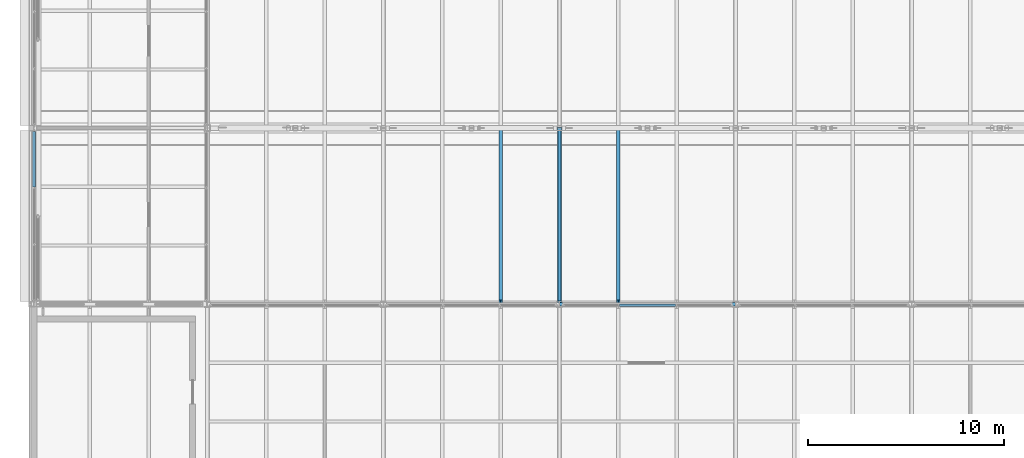
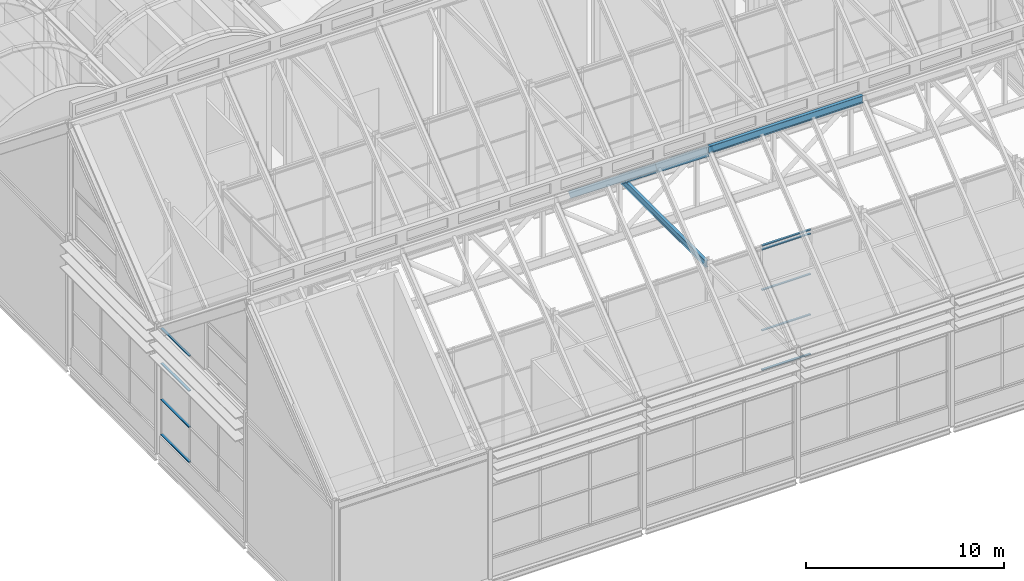
# One storey, part 32 of 144: 12 members, 2 beams, 2 elements without a shape of their own.
"""IFC4 building model written with IfcOpenShell, lengths in metres."""

from ifc_helpers import new_model, si_unit, direction, frame, origin, origin_2d, place, context, subcontext, project, spatial, hollow_rectangle, i_section, extrude, material, layer, layer_set, material_profile, profile_set, type_object, element, aggregate, save


model = new_model("IFC4")

# Units and contexts
model_context = context("Model", 3, precision=1e-05, world=origin(), true_north=direction((0.0, 1.0)))
body_context = subcontext(model_context, "Body", "Model", "MODEL_VIEW")
ifc_project = project(units=[si_unit("LENGTHUNIT", "METRE"), si_unit("AREAUNIT", "SQUARE_METRE"), si_unit("VOLUMEUNIT", "CUBIC_METRE"), si_unit("PLANEANGLEUNIT", "RADIAN"), si_unit("MASSUNIT", "GRAM", prefix="KILO")], contexts=[model_context])

# Site, building, storey
site_placement = place(None, origin())
site = spatial("IfcSite", under=ifc_project, at=site_placement, CompositionType="ELEMENT")
building_placement = place(site_placement, origin())
building = spatial("IfcBuilding", under=site, at=building_placement, Name="Shorebreak Coast Museum", CompositionType="ELEMENT")
storey_placement = place(building_placement, frame((0.0, 0.0, 36.0)))
storey = spatial("IfcBuildingStorey", under=building, at=storey_placement, Name="L06", CompositionType="ELEMENT", Elevation=36.0)

# Members
ifc_material_1 = material(Name="Steel Grade 300", Category="steel")
ifc_material_profile_1 = material_profile(ifc_material_1, i_section(OverallWidth=0.177978515625, OverallDepth=0.402587890625, WebThickness=0.007568359375, FlangeThickness=0.010986328125, FilletRadius=0.011474609375, at=origin_2d()), Name="410UB53.7")
ifc_profile_set_1 = profile_set([ifc_material_profile_1], Name="Steel Grade 300")
member_type_1 = type_object("IfcMemberType", Name="Fold rafter 410UB53.7", PredefinedType="RAFTER", material=ifc_profile_set_1)
for number, where, z_axis, x_axis, name in (
    (1, (78.0, 63.094970703125, 14.610107421875), (0.0, 0.780866693621, -0.624697692322), (-1.0, 0.0, 0.0), "Fold rafter FOLD-X line 2 09"),
    (2, (84.0, 63.094970703125, 14.610107421875), (0.0, 0.780866693621, -0.624697692322), (-1.0, 0.0, 0.0), "Fold rafter FOLD-X line 2 11"),
):
    element("IfcMember", number, at=place(storey_placement, frame(where, z_axis=z_axis, x_axis=x_axis)), inside=storey, type_object=member_type_1, Name=name, PredefinedType="RAFTER", context=body_context, shape_type="SweptSolid", body=[
        extrude(i_section(OverallWidth=0.177978515625, OverallDepth=0.402587890625, WebThickness=0.007568359375, FlangeThickness=0.010986328125, FilletRadius=0.011474609375, at=origin_2d()), origin(), (0.0, 0.0, 1.0), 11.25732421875),
    ])
ifc_material_2 = material(Name="Steel Grade 300", Category="steel")
ifc_material_profile_2 = material_profile(ifc_material_2, i_section(OverallWidth=0.208984375, OverallDepth=0.5283203125, WebThickness=0.009521484375, FlangeThickness=0.01318359375, FilletRadius=0.013916015625, at=origin_2d()), Name="530UB82.0")
ifc_profile_set_2 = profile_set([ifc_material_profile_2], Name="Steel Grade 300")
member_type_2 = type_object("IfcMemberType", Name="Fold rib rafter 530UB82.0", PredefinedType="RAFTER", material=ifc_profile_set_2)
member_1_placement = place(storey_placement, frame((81.0, 63.094970703125, 14.52978515625), z_axis=(0.0, 0.780866693621, -0.624697692322), x_axis=(-1.0, 0.0, 0.0)))
element("IfcMember", 3, at=member_1_placement, inside=storey, type_object=member_type_2, Name="Fold rib rafter FOLD-X line 2 10", PredefinedType="RAFTER", context=body_context, shape_type="SweptSolid", body=[
    extrude(i_section(OverallWidth=0.208984375, OverallDepth=0.5283203125, WebThickness=0.009521484375, FlangeThickness=0.01318359375, FilletRadius=0.013916015625, at=origin_2d()), origin(), (0.0, 0.0, 1.0), 11.25732421875),
])

# Beams
ifc_material_3 = material(Name="Steel Grade 300", Category="steel")
ifc_material_profile_3 = material_profile(ifc_material_3, i_section(OverallWidth=0.177978515625, OverallDepth=0.402587890625, WebThickness=0.007568359375, FlangeThickness=0.010986328125, FilletRadius=0.011474609375, at=origin_2d()), Name="410UB53.7")
ifc_profile_set_3 = profile_set([ifc_material_profile_3], Name="Steel Grade 300")
beam_type_1 = type_object("IfcBeamType", Name="Fold rib tie 410UB53.7", PredefinedType="BEAM", material=ifc_profile_set_3)
beam_1_placement = place(storey_placement, frame((81.0, 63.1572265625, 7.54248046875), z_axis=(0.0, 1.0, 0.0), x_axis=(-1.0, 0.0, 0.0)))
element("IfcBeam", 4, at=beam_1_placement, inside=storey, type_object=beam_type_1, Name="Fold rib tie FOLD-X rib 10 H-J", PredefinedType="BEAM", context=body_context, shape_type="SweptSolid", body=[
    extrude(i_section(OverallWidth=0.177978515625, OverallDepth=0.402587890625, WebThickness=0.007568359375, FlangeThickness=0.010986328125, FilletRadius=0.011474609375, at=origin_2d()), origin(), (0.0, 0.0, 1.0), 8.728271484375),
])
ifc_material_4 = material(Name="Steel Grade 300", Category="steel")
ifc_material_profile_4 = material_profile(ifc_material_4, i_section(OverallWidth=0.18994140625, OverallDepth=0.453857421875, WebThickness=0.008544921875, FlangeThickness=0.0126953125, FilletRadius=0.011474609375, at=origin_2d()), Name="460UB67.1")
ifc_profile_set_4 = profile_set([ifc_material_profile_4], Name="Steel Grade 300")
beam_type_2 = type_object("IfcBeamType", Name="Fold ridge beam 460UB67.1", PredefinedType="BEAM", material=ifc_profile_set_4)
beam_2_placement = place(storey_placement, frame((81.0, 63.0, 14.717041015625), z_axis=(1.0, 0.0, 0.0), x_axis=(0.0, 1.0, 0.0)))
element("IfcBeam", 5, at=beam_2_placement, inside=storey, type_object=beam_type_2, Name="Fold ridge beam FOLD-X line H bay 10H", PredefinedType="BEAM", context=body_context, shape_type="SweptSolid", body=[
    extrude(i_section(OverallWidth=0.18994140625, OverallDepth=0.453857421875, WebThickness=0.008544921875, FlangeThickness=0.0126953125, FilletRadius=0.011474609375, at=origin_2d()), origin(), (0.0, 0.0, 1.0), 9.0),
])

# Curtain wall, members
ifc_material_5 = material(Name="Aluminium", Category="aluminium")
ifc_layer_1 = layer(ifc_material_5, 0.1201171875)
ifc_layer_set_1 = layer_set([ifc_layer_1], Name="Aluminium")
curtain_wall_type_1 = type_object("IfcCurtainWallType", Name="Atrium fire screen", PredefinedType="NOTDEFINED", material=ifc_layer_set_1)
curtain_wall_1_placement = place(storey_placement, origin())
curtain_wall_1 = element("IfcCurtainWall", 6, at=curtain_wall_1_placement, inside=storey, type_object=curtain_wall_type_1, Name="Atrium screen L06 S 81", PredefinedType="NOTDEFINED")
ifc_material_6 = material(Name="Aluminium", Category="aluminium")
ifc_material_profile_5 = material_profile(ifc_material_6, hollow_rectangle(XDim=0.1201171875, YDim=0.06005859375, WallThickness=0.00341796875, at=origin_2d()), Name="AL 60x120 RHS")
ifc_profile_set_5 = profile_set([ifc_material_profile_5], Name="Aluminium")
member_type_3 = type_object("IfcMemberType", Name="Screen transom 120 x 50", PredefinedType="USERDEFINED", material=ifc_profile_set_5)
member_2_placement = place(storey_placement, frame((84.076171875, 62.93994140625, 0.06005859375), z_axis=(1.0, 0.0, 0.0), x_axis=(0.0, 1.0, 0.0)))
member_2 = element("IfcMember", 7, at=member_2_placement, type_object=member_type_3, Name="CW4 transom 2.1", ObjectType="TRANSOM", PredefinedType="USERDEFINED", context=body_context, shape_type="SweptSolid", body=[
    extrude(hollow_rectangle(XDim=0.1201171875, YDim=0.06005859375, WallThickness=0.00341796875, at=origin_2d()), origin(), (0.0, 0.0, 1.0), 2.84765625),
])
member_3_placement = place(storey_placement, frame((84.076171875, 62.93994140625, 2.5), z_axis=(1.0, 0.0, 0.0), x_axis=(0.0, 1.0, 0.0)))
member_3 = element("IfcMember", 8, at=member_3_placement, type_object=member_type_3, Name="CW4 transom 2.2", ObjectType="TRANSOM", PredefinedType="USERDEFINED", context=body_context, shape_type="SweptSolid", body=[
    extrude(hollow_rectangle(XDim=0.1201171875, YDim=0.06005859375, WallThickness=0.00341796875, at=origin_2d()), origin(), (0.0, 0.0, 1.0), 2.84765625),
])
member_4_placement = place(storey_placement, frame((84.076171875, 62.93994140625, 5.0), z_axis=(1.0, 0.0, 0.0), x_axis=(0.0, 1.0, 0.0)))
member_4 = element("IfcMember", 9, at=member_4_placement, type_object=member_type_3, Name="CW4 transom 2.3", ObjectType="TRANSOM", PredefinedType="USERDEFINED", context=body_context, shape_type="SweptSolid", body=[
    extrude(hollow_rectangle(XDim=0.1201171875, YDim=0.06005859375, WallThickness=0.00341796875, at=origin_2d()), origin(), (0.0, 0.0, 1.0), 2.84765625),
])
member_5_placement = place(storey_placement, frame((84.076171875, 62.93994140625, 7.5), z_axis=(1.0, 0.0, 0.0), x_axis=(0.0, 1.0, 0.0)))
member_5 = element("IfcMember", 10, at=member_5_placement, type_object=member_type_3, Name="CW4 transom 2.4", ObjectType="TRANSOM", PredefinedType="USERDEFINED", context=body_context, shape_type="SweptSolid", body=[
    extrude(hollow_rectangle(XDim=0.1201171875, YDim=0.06005859375, WallThickness=0.00341796875, at=origin_2d()), origin(), (0.0, 0.0, 1.0), 2.84765625),
])
member_6_placement = place(storey_placement, frame((84.076171875, 62.93994140625, 7.739990234375), z_axis=(1.0, 0.0, 0.0), x_axis=(0.0, 1.0, 0.0)))
member_6 = element("IfcMember", 11, at=member_6_placement, type_object=member_type_3, Name="CW4 transom 2.5", ObjectType="TRANSOM", PredefinedType="USERDEFINED", context=body_context, shape_type="SweptSolid", body=[
    extrude(hollow_rectangle(XDim=0.1201171875, YDim=0.06005859375, WallThickness=0.00341796875, at=origin_2d()), origin(), (0.0, 0.0, 1.0), 2.84765625),
])
aggregate(curtain_wall_1, [member_2, member_3, member_4, member_5, member_6])

ifc_material_7 = material(Name="Aluminium", Category="aluminium")
ifc_layer_2 = layer(ifc_material_7, 0.14990234375)
ifc_layer_set_2 = layer_set([ifc_layer_2], Name="Aluminium")
curtain_wall_type_2 = type_object("IfcCurtainWallType", Name="Storefront curtain wall", PredefinedType="NOTDEFINED", material=ifc_layer_set_2)
curtain_wall_2_placement = place(storey_placement, origin())
curtain_wall_2 = element("IfcCurtainWall", 12, at=curtain_wall_2_placement, inside=storey, type_object=curtain_wall_type_2, Name="Atrium Hall glazing L06 W 27", PredefinedType="NOTDEFINED")
ifc_material_8 = material(Name="Aluminium", Category="aluminium")
ifc_material_profile_6 = material_profile(ifc_material_8, hollow_rectangle(XDim=0.14990234375, YDim=0.050048828125, WallThickness=0.00390625, at=origin_2d()), Name="AL 50x150 RHS")
ifc_profile_set_6 = profile_set([ifc_material_profile_6], Name="Aluminium")
member_type_4 = type_object("IfcMemberType", Name="Storefront transom 150 x 50", PredefinedType="USERDEFINED", material=ifc_profile_set_6)
member_7_placement = place(storey_placement, frame((54.14990234375, 68.988037109375, 1.175048828125), z_axis=(0.0, 1.0, 0.0), x_axis=(-1.0, 0.0, 0.0)))
member_7 = element("IfcMember", 13, at=member_7_placement, type_object=member_type_4, Name="CW5 transom 3.1", ObjectType="TRANSOM", PredefinedType="USERDEFINED", context=body_context, shape_type="SweptSolid", body=[
    extrude(hollow_rectangle(XDim=0.14990234375, YDim=0.050048828125, WallThickness=0.00390625, at=origin_2d()), origin(), (0.0, 0.0, 1.0), 2.8369140625),
])
member_8_placement = place(storey_placement, frame((54.14990234375, 68.988037109375, 3.333251953125), z_axis=(0.0, 1.0, 0.0), x_axis=(-1.0, 0.0, 0.0)))
member_8 = element("IfcMember", 14, at=member_8_placement, type_object=member_type_4, Name="CW5 transom 3.2", ObjectType="TRANSOM", PredefinedType="USERDEFINED", context=body_context, shape_type="SweptSolid", body=[
    extrude(hollow_rectangle(XDim=0.14990234375, YDim=0.050048828125, WallThickness=0.00390625, at=origin_2d()), origin(), (0.0, 0.0, 1.0), 2.8369140625),
])
member_9_placement = place(storey_placement, frame((54.14990234375, 68.988037109375, 5.566650390625), z_axis=(0.0, 1.0, 0.0), x_axis=(-1.0, 0.0, 0.0)))
member_9 = element("IfcMember", 15, at=member_9_placement, type_object=member_type_4, Name="CW5 transom 3.3", ObjectType="TRANSOM", PredefinedType="USERDEFINED", context=body_context, shape_type="SweptSolid", body=[
    extrude(hollow_rectangle(XDim=0.14990234375, YDim=0.050048828125, WallThickness=0.00390625, at=origin_2d()), origin(), (0.0, 0.0, 1.0), 2.8369140625),
])
member_10_placement = place(storey_placement, frame((54.14990234375, 68.988037109375, 7.72509765625), z_axis=(0.0, 1.0, 0.0), x_axis=(-1.0, 0.0, 0.0)))
member_10 = element("IfcMember", 16, at=member_10_placement, type_object=member_type_4, Name="CW5 transom 3.4", ObjectType="TRANSOM", PredefinedType="USERDEFINED", context=body_context, shape_type="SweptSolid", body=[
    extrude(hollow_rectangle(XDim=0.14990234375, YDim=0.050048828125, WallThickness=0.00390625, at=origin_2d()), origin(), (0.0, 0.0, 1.0), 2.8369140625),
])
aggregate(curtain_wall_2, [member_7, member_8, member_9, member_10])

save(model, "model.ifc")
